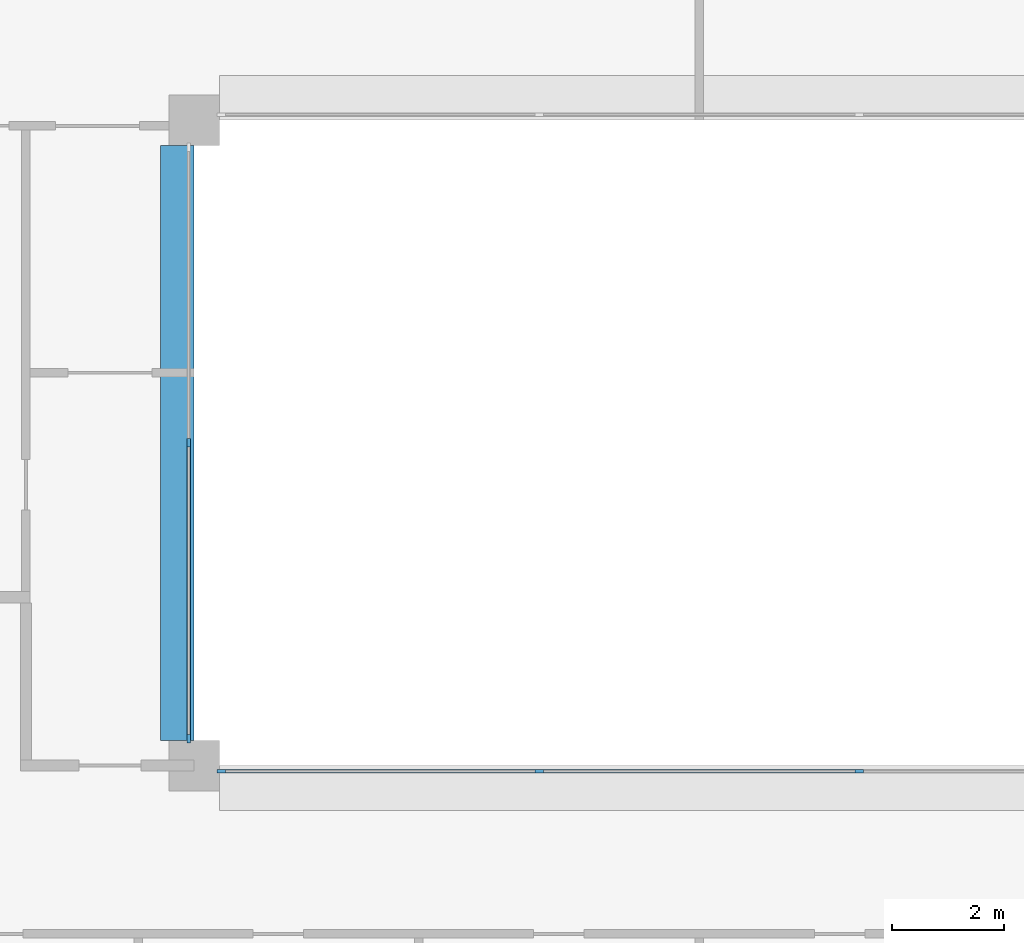
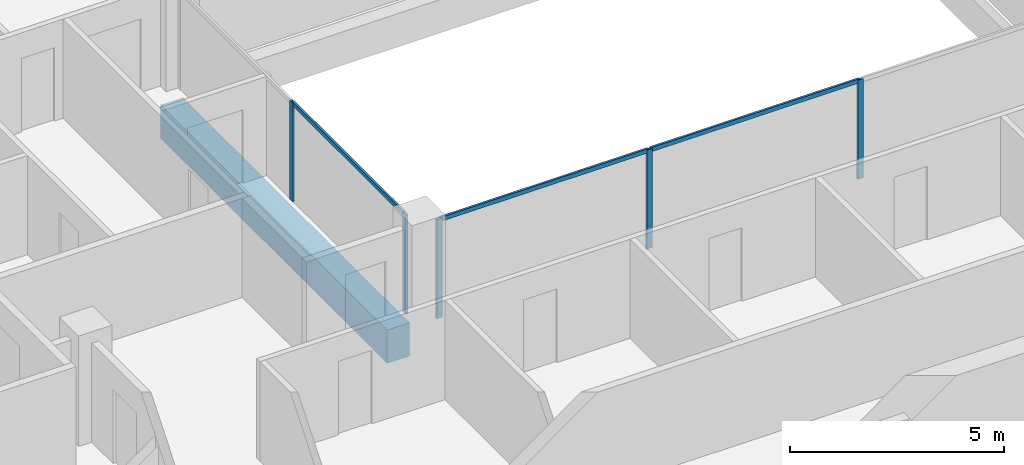
# One storey, part 2 of 15: 8 members, 1 beam, 2 elements without a shape of their own.
"""IFC4 building model written with IfcOpenShell, lengths in metres."""

from ifc_helpers import new_model, si_unit, direction, frame, origin, origin_2d, place, context, subcontext, project, spatial, rectangle, extrude, material, layer, layer_set, material_profile, profile_set, type_object, element, aggregate, save


model = new_model("IFC4")

# Units and contexts
model_context = context("Model", 3, precision=1e-05, world=origin(), true_north=direction((0.0, 1.0)))
body_context = subcontext(model_context, "Body", "Model", "MODEL_VIEW")
ifc_project = project(units=[si_unit("LENGTHUNIT", "METRE"), si_unit("AREAUNIT", "SQUARE_METRE"), si_unit("VOLUMEUNIT", "CUBIC_METRE"), si_unit("PLANEANGLEUNIT", "RADIAN"), si_unit("MASSUNIT", "GRAM", prefix="KILO")], contexts=[model_context])

# Site, building, storey
site_placement = place(None, origin())
site = spatial("IfcSite", under=ifc_project, at=site_placement, CompositionType="ELEMENT")
building_placement = place(site_placement, origin())
building = spatial("IfcBuilding", under=site, at=building_placement, Name="Brigalow Station Residences", CompositionType="ELEMENT")
storey_placement = place(building_placement, frame((0.0, 0.0, 207.449951171875)))
storey = spatial("IfcBuildingStorey", under=building, at=storey_placement, Name="L59", CompositionType="ELEMENT", Elevation=207.449951171875)

# Beam
ifc_material_1 = material(Name="Concrete C65", Category="concrete")
ifc_material_profile_1 = material_profile(ifc_material_1, rectangle(XDim=0.60009765625, YDim=0.949951171875, at=origin_2d()), Name="RC600x950")
ifc_profile_set_1 = profile_set([ifc_material_profile_1], Name="Concrete C65")
beam_type = type_object("IfcBeamType", Name="ATRIUM EDGE GIRDER 600x950 C65", PredefinedType="BEAM", material=ifc_profile_set_1)
beam_placement = place(storey_placement, frame((26.699951171875, 24.449951171875, -0.794921875), z_axis=(0.0, 1.0, 0.0), x_axis=(-1.0, 0.0, 0.0)))
element("IfcBeam", 1, at=beam_placement, inside=storey, type_object=beam_type, Name="ATRIUM EDGE GIRDER 3 L59", PredefinedType="BEAM", context=body_context, shape_type="SweptSolid", body=[
    extrude(rectangle(XDim=0.60009765625, YDim=0.949951171875, at=origin_2d()), origin(), (0.0, 0.0, 1.0), 10.60009765625),
])

# Curtain wall, members
ifc_material_2 = material(Name="Aluminium", Category="aluminium")
ifc_layer = layer(ifc_material_2, 0.14990234375)
ifc_layer_set = layer_set([ifc_layer], Name="ATRIUM FIRE-RATED GLAZING CURTAIN WALL")
curtain_wall_type = type_object("IfcCurtainWallType", Name="ATRIUM FIRE-RATED GLAZING CURTAIN WALL", PredefinedType="NOTDEFINED", material=ifc_layer_set)
curtain_wall_1_placement = place(storey_placement, origin())
curtain_wall_1 = element("IfcCurtainWall", 2, at=curtain_wall_1_placement, inside=storey, type_object=curtain_wall_type, Name="L59/cw/atrium-S", PredefinedType="NOTDEFINED")
ifc_material_3 = material(Name="Aluminium", Category="aluminium")
ifc_material_profile_2 = material_profile(ifc_material_3, rectangle(XDim=0.06005859375, YDim=0.14990234375, at=origin_2d()), Name="ATRIUM FIRE-RATED GLAZING MULLION 60x150")
ifc_profile_set_2 = profile_set([ifc_material_profile_2], Name="Aluminium")
member_type_1 = type_object("IfcMemberType", Name="ATRIUM FIRE-RATED GLAZING MULLION 60x150", PredefinedType="MULLION", material=ifc_profile_set_2)
member_1_placement = place(storey_placement, frame((27.47998046875, 23.89990234375, 0.0), z_axis=(0.0, 0.0, 1.0), x_axis=(0.0, 1.0, 0.0)))
member_1 = element("IfcMember", 3, at=member_1_placement, type_object=member_type_1, Name="L59/cw/atrium-S/M00", PredefinedType="MULLION", context=body_context, shape_type="SweptSolid", body=[
    extrude(rectangle(XDim=0.06005859375, YDim=0.14990234375, at=origin_2d()), origin(), (0.0, 0.0, 1.0), 2.830078125),
])
member_2_placement = place(storey_placement, frame((33.14990234375, 23.89990234375, 0.0), z_axis=(0.0, 0.0, 1.0), x_axis=(0.0, 1.0, 0.0)))
member_2 = element("IfcMember", 4, at=member_2_placement, type_object=member_type_1, Name="L59/cw/atrium-S/M01", PredefinedType="MULLION", context=body_context, shape_type="SweptSolid", body=[
    extrude(rectangle(XDim=0.06005859375, YDim=0.14990234375, at=origin_2d()), origin(), (0.0, 0.0, 1.0), 2.830078125),
])
member_3_placement = place(storey_placement, frame((38.85009765625, 23.89990234375, 0.0), z_axis=(0.0, 0.0, 1.0), x_axis=(0.0, 1.0, 0.0)))
member_3 = element("IfcMember", 5, at=member_3_placement, type_object=member_type_1, Name="L59/cw/atrium-S/M02", PredefinedType="MULLION", context=body_context, shape_type="SweptSolid", body=[
    extrude(rectangle(XDim=0.06005859375, YDim=0.14990234375, at=origin_2d()), origin(), (0.0, 0.0, 1.0), 2.830078125),
])

curtain_wall_2_placement = place(storey_placement, origin())
curtain_wall_2 = element("IfcCurtainWall", 6, at=curtain_wall_2_placement, inside=storey, type_object=curtain_wall_type, Name="L59/cw/atrium-W", PredefinedType="NOTDEFINED")
member_4_placement = place(storey_placement, frame((26.89990234375, 29.75, 0.0), z_axis=(0.0, 0.0, 1.0), x_axis=(1.0, 0.0, 0.0)))
member_4 = element("IfcMember", 7, at=member_4_placement, type_object=member_type_1, Name="L59/cw/atrium-W/M01", PredefinedType="MULLION", context=body_context, shape_type="SweptSolid", body=[
    extrude(rectangle(XDim=0.06005859375, YDim=0.14990234375, at=origin_2d()), origin(), (0.0, 0.0, 1.0), 2.830078125),
])
member_5_placement = place(storey_placement, frame((26.89990234375, 24.47998046875, 0.0), z_axis=(0.0, 0.0, 1.0), x_axis=(1.0, 0.0, 0.0)))
member_5 = element("IfcMember", 8, at=member_5_placement, type_object=member_type_1, Name="L59/cw/atrium-W/M02", PredefinedType="MULLION", context=body_context, shape_type="SweptSolid", body=[
    extrude(rectangle(XDim=0.06005859375, YDim=0.14990234375, at=origin_2d()), origin(), (0.0, 0.0, 1.0), 2.830078125),
])

# Member
ifc_material_4 = material(Name="Aluminium", Category="aluminium")
ifc_material_profile_3 = material_profile(ifc_material_4, rectangle(XDim=0.06005859375, YDim=0.1201171875, at=origin_2d()), Name="ATRIUM FIRE-RATED GLAZING TRANSOM 60x120")
ifc_profile_set_3 = profile_set([ifc_material_profile_3], Name="Aluminium")
member_type_2 = type_object("IfcMemberType", Name="ATRIUM FIRE-RATED GLAZING TRANSOM 60x120", PredefinedType="USERDEFINED", material=ifc_profile_set_3)
member_6_placement = place(storey_placement, frame((27.510009765625, 23.89990234375, 2.800048828125), z_axis=(1.0, 0.0, 0.0), x_axis=(0.0, 1.0, 0.0)))
member_6 = element("IfcMember", 9, at=member_6_placement, type_object=member_type_2, Name="L59/cw/atrium-S/T00-00", ObjectType="TRANSOM", PredefinedType="USERDEFINED", context=body_context, shape_type="SweptSolid", body=[
    extrude(rectangle(XDim=0.06005859375, YDim=0.1201171875, at=origin_2d()), origin(), (0.0, 0.0, 1.0), 5.610107421875),
])

member_7_placement = place(storey_placement, frame((33.179931640625, 23.89990234375, 2.800048828125), z_axis=(1.0, 0.0, 0.0), x_axis=(0.0, 1.0, 0.0)))
member_7 = element("IfcMember", 10, at=member_7_placement, type_object=member_type_2, Name="L59/cw/atrium-S/T01-00", ObjectType="TRANSOM", PredefinedType="USERDEFINED", context=body_context, shape_type="SweptSolid", body=[
    extrude(rectangle(XDim=0.06005859375, YDim=0.1201171875, at=origin_2d()), origin(), (0.0, 0.0, 1.0), 5.64013671875),
])

aggregate(curtain_wall_1, [member_1, member_2, member_3, member_6, member_7])

member_8_placement = place(storey_placement, frame((26.89990234375, 29.719970703125, 2.800048828125), z_axis=(0.0, -1.0, 0.0), x_axis=(1.0, 0.0, 0.0)))
member_8 = element("IfcMember", 11, at=member_8_placement, type_object=member_type_2, Name="L59/cw/atrium-W/T01-00", ObjectType="TRANSOM", PredefinedType="USERDEFINED", context=body_context, shape_type="SweptSolid", body=[
    extrude(rectangle(XDim=0.06005859375, YDim=0.1201171875, at=origin_2d()), origin(), (0.0, 0.0, 1.0), 5.2099609375),
])

aggregate(curtain_wall_2, [member_4, member_5, member_8])

save(model, "model.ifc")
